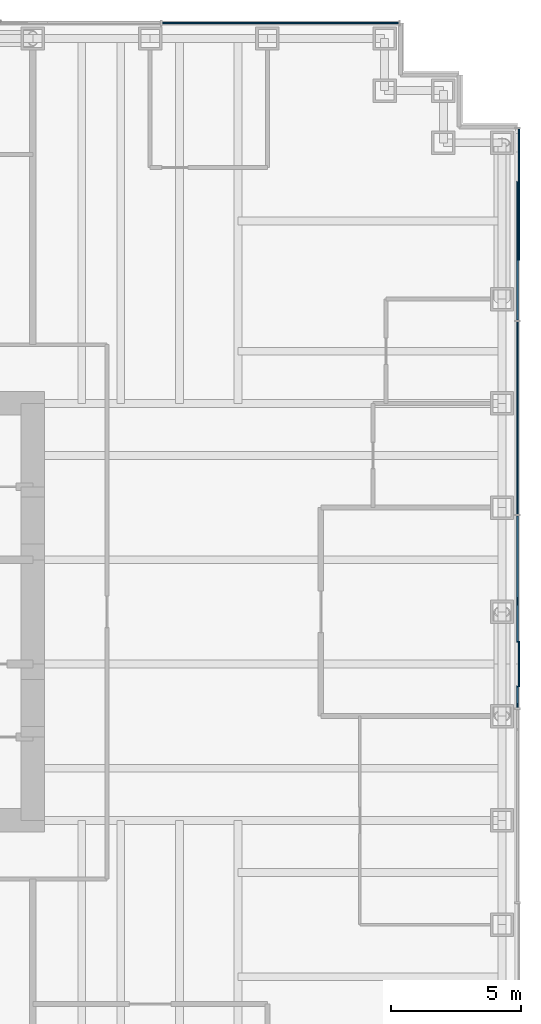
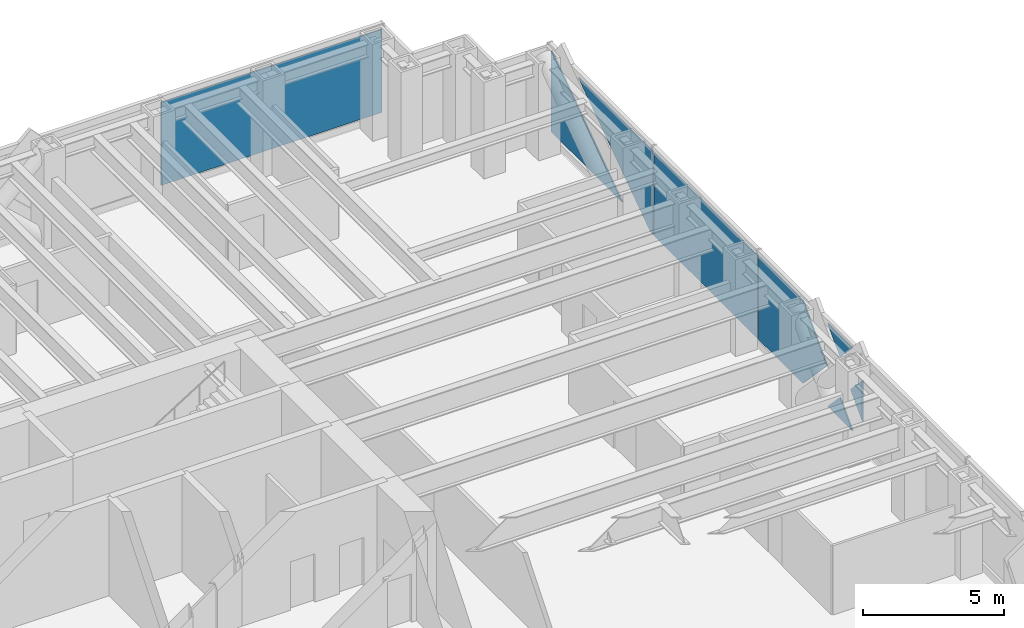
# One storey, part 12 of 17: 8 plates, 2 elements without a shape of their own.
"""IFC4 building model written with IfcOpenShell, lengths in metres."""

from ifc_helpers import new_model, si_unit, direction, frame, origin, origin_2d, place, context, subcontext, project, spatial, polyline, rectangle, outline, extrude, material, layer, layer_set, type_object, element, aggregate, save


model = new_model("IFC4")

# Units and contexts
model_context = context("Model", 3, precision=1e-05, world=origin(), true_north=direction((0.0, 1.0)))
body_context = subcontext(model_context, "Body", "Model", "MODEL_VIEW")
ifc_project = project(units=[si_unit("LENGTHUNIT", "METRE"), si_unit("AREAUNIT", "SQUARE_METRE"), si_unit("VOLUMEUNIT", "CUBIC_METRE"), si_unit("PLANEANGLEUNIT", "RADIAN"), si_unit("MASSUNIT", "GRAM", prefix="KILO")], contexts=[model_context])

# Site, building, storey
site_placement = place(None, origin())
site = spatial("IfcSite", under=ifc_project, at=site_placement, CompositionType="ELEMENT")
building_placement = place(site_placement, origin())
building = spatial("IfcBuilding", under=site, at=building_placement, Name="Rheinbord Bourse Tower", CompositionType="ELEMENT")
storey_placement = place(building_placement, frame((0.0, 0.0, 138.300048828125)))
storey = spatial("IfcBuildingStorey", under=building, at=storey_placement, Name="L30", CompositionType="ELEMENT", Elevation=138.300048828125)

# Curtain wall, plates
ifc_material_1 = material(Name="Dark glass and black aluminium", Category="aluminium")
curtain_wall_type = type_object("IfcCurtainWallType", Name="CW2 DARK GLASS CURTAIN WALL", PredefinedType="USERDEFINED", material=ifc_material_1)
curtain_wall_1_placement = place(storey_placement, origin())
curtain_wall_1 = element("IfcCurtainWall", 1, at=curtain_wall_1_placement, inside=storey, type_object=curtain_wall_type, Name="Curtain wall CW2 E L30", ObjectType="UNITISED CURTAIN WALL", PredefinedType="USERDEFINED")
ifc_material_2 = material(Name="Dark tinted triple insulating glass", Category="glass")
ifc_layer = layer(ifc_material_2, 0.050048828125)
ifc_layer_set = layer_set([ifc_layer], Name="CW2 DARK GLASS PANEL")
plate_type = type_object("IfcPlateType", Name="CW2 DARK GLASS PANEL", PredefinedType="CURTAIN_PANEL", material=ifc_layer_set)
plate_1_placement = place(storey_placement, frame((72.60009765625, 31.43994140625, 0.2998046875), z_axis=(0.0, 0.0, 1.0), x_axis=(0.0, 1.0, 0.0)))
plate_1 = element("IfcPlate", 2, at=plate_1_placement, type_object=plate_type, Name="CW2 panel 4.1", PredefinedType="CURTAIN_PANEL", context=body_context, shape_type="SweptSolid", body=[
    extrude(rectangle(XDim=7.3701171875, YDim=0.050048828125, at=origin_2d()), origin(), (0.0, 0.0, 1.0), 3.60009765625),
])
plate_2_placement = place(storey_placement, frame((72.625, 20.31494140625, 2.991943359375), z_axis=(-1.0, 0.0, 0.0), x_axis=(0.0, 0.689862925404, -0.723940014195)))
plate_2 = element("IfcPlate", 3, at=plate_2_placement, type_object=plate_type, Name="CW2 glass facet 1", PredefinedType="CURTAIN_PANEL", context=body_context, shape_type="SweptSolid", body=[
    extrude(outline(polyline([(0.0, 0.0), (1.232177734375, 0.0), (1.29150390625, 1.230712890625), (0.0, 0.0)])), origin(), (0.0, 0.0, 1.0), 0.050048828125),
])
plate_3_placement = place(storey_placement, frame((72.68017578125, 21.12109375, 0.300048828125), z_axis=(-1.0, 0.0, 0.0), x_axis=(0.0, 0.689655172414, 0.724137931034)))
plate_3 = element("IfcPlate", 4, at=plate_3_placement, type_object=plate_type, Name="CW2 glass facet 2", PredefinedType="CURTAIN_PANEL", context=body_context, shape_type="SweptSolid", body=[
    extrude(outline(polyline([(0.0, 0.0), (1.2744140625, 0.0), (1.21240234375, 1.27294921875), (0.0, 0.0)])), origin(), (0.0, 0.0, 1.0), 0.050048828125),
])
plate_4_placement = place(storey_placement, frame((72.68017578125, 22.87890625, 3.89990234375), z_axis=(-1.0, 0.0, 0.0), x_axis=(0.0, -0.689655172414, -0.724137931034)))
plate_4 = element("IfcPlate", 5, at=plate_4_placement, type_object=plate_type, Name="CW2 glass facet 3", PredefinedType="CURTAIN_PANEL", context=body_context, shape_type="SweptSolid", body=[
    extrude(outline(polyline([(0.0, 0.0), (1.2744140625, 0.0), (1.21240234375, 1.27294921875), (0.0, 0.0)])), origin(), (0.0, 0.0, 1.0), 0.050048828125),
])
plate_5_placement = place(storey_placement, frame((72.625, 27.68505859375, 3.89990234375), z_axis=(-1.0, 0.0, 0.0), x_axis=(0.0, 0.0, -1.0)))
plate_5 = element("IfcPlate", 6, at=plate_5_placement, type_object=plate_type, Name="CW2 glass facet 4", PredefinedType="CURTAIN_PANEL", context=body_context, shape_type="SweptSolid", body=[
    extrude(outline(polyline([(0.0, 0.0), (3.599853515625, 0.0), (3.599853515625, 3.135009765625), (1.800048828125, 4.85009765625), (0.0, 3.135009765625), (0.0, 0.0)])), origin(), (0.0, 0.0, 1.0), 0.050048828125),
])
plate_6_placement = place(storey_placement, frame((72.625, 35.195068359375, 0.300048828125), z_axis=(-1.0, 0.0, 0.0), x_axis=(0.0, 0.0, 1.0)))
plate_6 = element("IfcPlate", 7, at=plate_6_placement, type_object=plate_type, Name="CW2 glass facet 1", PredefinedType="CURTAIN_PANEL", context=body_context, shape_type="SweptSolid", body=[
    extrude(outline(polyline([(0.0, 0.0), (3.599853515625, 0.0), (3.599853515625, 5.321044921875), (0.0, 0.178955078125), (0.0, 0.0)])), origin(), (0.0, 0.0, 1.0), 0.050048828125),
])
plate_7_placement = place(storey_placement, frame((72.68017578125, 42.530029296875, 0.300048828125), z_axis=(-1.0, 0.0, 0.0), x_axis=(0.0, -1.0, 0.0)))
plate_7 = element("IfcPlate", 8, at=plate_7_placement, type_object=plate_type, Name="CW2 glass facet 2", PredefinedType="CURTAIN_PANEL", context=body_context, shape_type="SweptSolid", body=[
    extrude(outline(polyline([(0.0, 0.0), (5.046142578125, 0.0), (0.0, 3.532958984375), (0.0, 0.0)])), origin(), (0.0, 0.0, 1.0), 0.050048828125),
])
aggregate(curtain_wall_1, [plate_1, plate_2, plate_3, plate_4, plate_5, plate_6, plate_7])

# Curtain wall, plate
curtain_wall_2_placement = place(storey_placement, origin())
curtain_wall_2 = element("IfcCurtainWall", 9, at=curtain_wall_2_placement, inside=storey, type_object=curtain_wall_type, Name="Curtain wall CW2 N L30", ObjectType="UNITISED CURTAIN WALL", PredefinedType="USERDEFINED")
plate_8_placement = place(storey_placement, frame((63.496826171875, 46.60009765625, 0.2998046875), z_axis=(0.0, 0.0, 1.0), x_axis=(-1.0, 0.0, 0.0)))
plate_8 = element("IfcPlate", 10, at=plate_8_placement, type_object=plate_type, Name="CW2 panel 1.1", PredefinedType="CURTAIN_PANEL", context=body_context, shape_type="SweptSolid", body=[
    extrude(rectangle(XDim=9.06640625, YDim=0.050048828125, at=origin_2d()), origin(), (0.0, 0.0, 1.0), 3.60009765625),
])
aggregate(curtain_wall_2, [plate_8])

save(model, "model.ifc")
